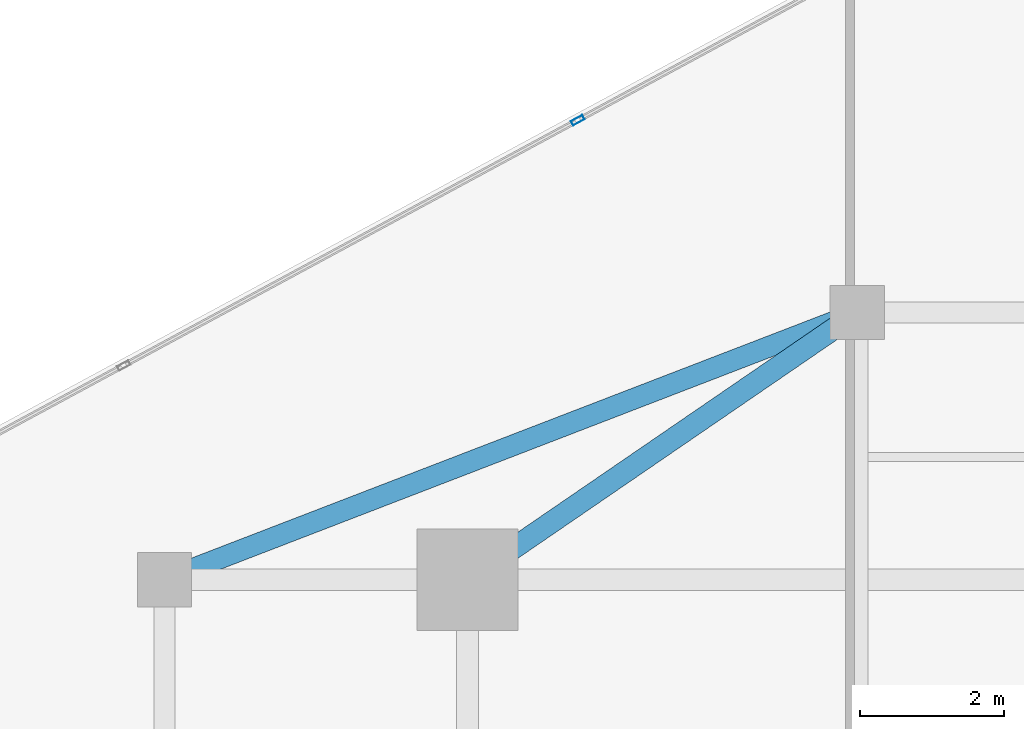
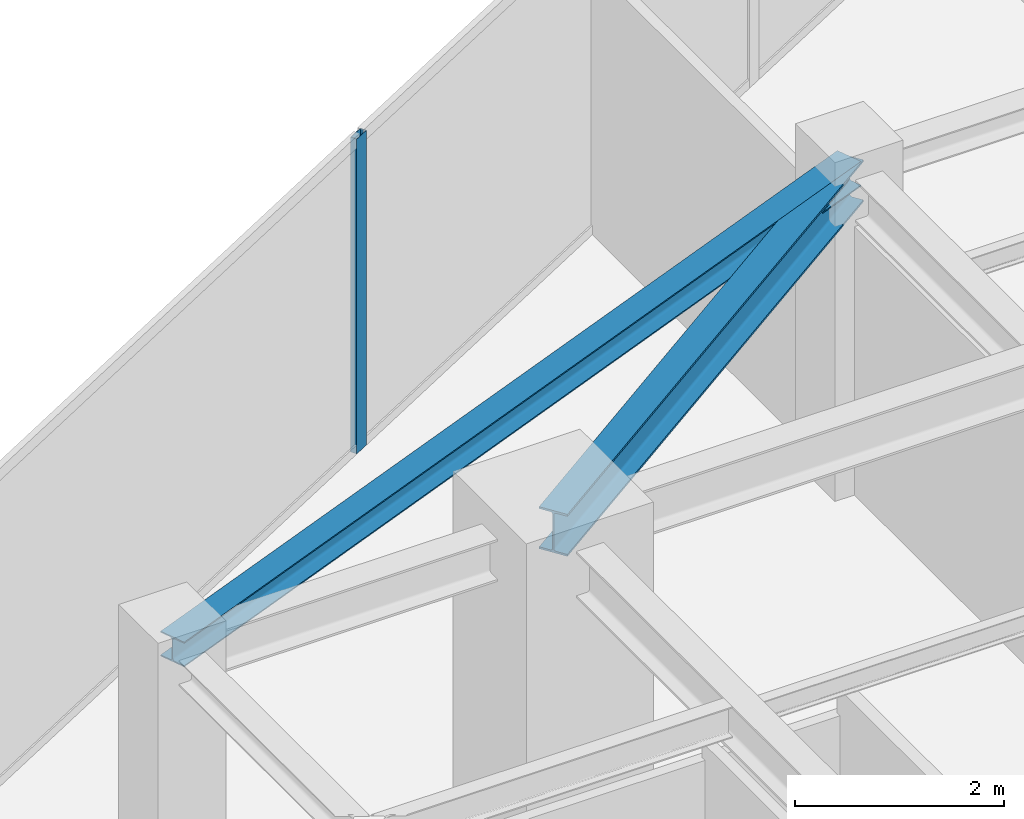
# One storey, part 14 of 22: 2 beams, 1 member, 1 element without a shape of its own.
"""IFC4 building model written with IfcOpenShell, lengths in metres."""

from ifc_helpers import new_model, si_unit, direction, frame, origin, origin_2d, place, context, subcontext, project, spatial, hollow_rectangle, i_section, extrude, source, transform, mapped, material, material_profile, profile_set, type_object, type_shapes, element, aggregate, save


model = new_model("IFC4")

# Units and contexts
model_context = context("Model", 3, precision=1e-05, world=origin(), true_north=direction((0.0, 1.0)))
body_context = subcontext(model_context, "Body", "Model", "MODEL_VIEW")
ifc_project = project(units=[si_unit("LENGTHUNIT", "METRE"), si_unit("AREAUNIT", "SQUARE_METRE"), si_unit("VOLUMEUNIT", "CUBIC_METRE"), si_unit("PLANEANGLEUNIT", "RADIAN"), si_unit("MASSUNIT", "GRAM", prefix="KILO")], contexts=[model_context])

# Site, building, storey
site_placement = place(None, origin())
site = spatial("IfcSite", under=ifc_project, at=site_placement, CompositionType="ELEMENT")
building_placement = place(site_placement, origin())
building = spatial("IfcBuilding", under=site, at=building_placement, Name="Krantzveldt Concourse Tower", CompositionType="ELEMENT")
storey_placement = place(building_placement, frame((0.0, 0.0, 302.949951171875)))
storey = spatial("IfcBuildingStorey", under=building, at=storey_placement, Name="L74", CompositionType="ELEMENT", Elevation=302.949951171875)

# Beams
ifc_material_1 = material(Name="Steel S355JR", Category="steel")
ifc_material_profile_1 = material_profile(ifc_material_1, i_section(OverallWidth=0.300048828125, OverallDepth=0.489990234375, WebThickness=0.011962890625, FlangeThickness=0.02294921875, FilletRadius=0.027099609375, at=origin_2d()), Name="Steel S355JR", Category="steel")
ifc_profile_set_1 = profile_set([ifc_material_profile_1], Name="Steel S355JR - HEA 500")
beam_type_1 = type_object("IfcBeamType", Name="BM-B-HEA500", PredefinedType="BEAM", material=ifc_profile_set_1)
shared_shape_1 = source(origin(), body_context, "Body", "SweptSolid", [
    extrude(i_section(OverallWidth=0.300048828125, OverallDepth=0.489990234375, WebThickness=0.011962890625, FlangeThickness=0.02294921875, FilletRadius=0.027099609375, at=origin_2d()), origin(), (0.0, 0.0, 1.0), 6.546142578125),
])
type_shapes(beam_type_1, [shared_shape_1])
beam_1_placement = place(storey_placement, frame((25.199951171875, 37.5, 3.425048828125), z_axis=(0.824942999484, 0.565215930068, 0.0), x_axis=(-0.565215930068, 0.824942999484, 0.0)))
element("IfcBeam", 1, at=beam_1_placement, inside=storey, type_object=beam_type_1, Name="L74 Tower Girder BR-RL4", PredefinedType="BEAM", context=body_context, shape_type="MappedRepresentation", body=[
    mapped(shared_shape_1, transform((0.0, 0.0, 0.0), x_axis=(1.0, 0.0, 0.0), y_axis=(0.0, 1.0, 0.0), z_axis=(0.0, 0.0, 1.0), scale=1.0)),
])
ifc_material_profile_2 = material_profile(ifc_material_1, i_section(OverallWidth=0.2900390625, OverallDepth=0.2900390625, WebThickness=0.008544921875, FlangeThickness=0.013916015625, FilletRadius=0.027099609375, at=origin_2d()), Name="Steel S355JR", Category="steel")
ifc_profile_set_2 = profile_set([ifc_material_profile_2], Name="Steel S355JR - HEA 300")
beam_type_2 = type_object("IfcBeamType", Name="BM-SP-HEA300", PredefinedType="SPANDREL", material=ifc_profile_set_2)
shared_shape_2 = source(origin(), body_context, "Body", "SweptSolid", [
    extrude(i_section(OverallWidth=0.2900390625, OverallDepth=0.2900390625, WebThickness=0.008544921875, FlangeThickness=0.013916015625, FilletRadius=0.027099609375, at=origin_2d()), origin(), (0.0, 0.0, 1.0), 10.288330078125),
])
type_shapes(beam_type_2, [shared_shape_2])
beam_2_placement = place(storey_placement, frame((21.0, 37.5, 3.525146484375), z_axis=(0.933097690408, 0.359622997257, 0.0), x_axis=(-0.359622997257, 0.933097690408, 0.0)))
element("IfcBeam", 2, at=beam_2_placement, inside=storey, type_object=beam_type_2, Name="L74 Tower Girder SP-R03", PredefinedType="SPANDREL", context=body_context, shape_type="MappedRepresentation", body=[
    mapped(shared_shape_2, transform((0.0, 0.0, 0.0), x_axis=(1.0, 0.0, 0.0), y_axis=(0.0, 1.0, 0.0), z_axis=(0.0, 0.0, 1.0), scale=1.0)),
])

# Curtain wall, member
ifc_material_2 = material(Name="Anodised aluminium 6063-T6", Category="aluminium")
curtain_wall_type = type_object("IfcCurtainWallType", Name="CW4", PredefinedType="USERDEFINED", material=ifc_material_2)
curtain_wall_placement = place(storey_placement, origin())
curtain_wall = element("IfcCurtainWall", 3, at=curtain_wall_placement, inside=storey, type_object=curtain_wall_type, Name="CW-L74-F01", ObjectType="UNITISED CURTAIN WALL", PredefinedType="USERDEFINED")
ifc_material_profile_3 = material_profile(ifc_material_2, hollow_rectangle(XDim=0.070068359375, YDim=0.179931640625, WallThickness=0.0048828125, at=origin_2d()), Name="Anodised aluminium 6063-T6", Category="aluminium")
ifc_profile_set_3 = profile_set([ifc_material_profile_3], Name="Anodised aluminium 6063-T6 - ALU-MULL 180x70x5")
member_type = type_object("IfcMemberType", Name="CW-MUL-180", PredefinedType="MULLION", material=ifc_profile_set_3)
shared_shape_3 = source(origin(), body_context, "Body", "SweptSolid", [
    extrude(hollow_rectangle(XDim=0.070068359375, YDim=0.179931640625, WallThickness=0.0048828125, at=origin_2d()), origin(), (0.0, 0.0, 1.0), 3.670166015625),
])
type_shapes(member_type, [shared_shape_3])
member_placement = place(storey_placement, frame((26.72802734375, 43.865966796875, 0.0), z_axis=(0.0, 0.0, 1.0), x_axis=(0.475240271736, -0.87985605875, 0.0)))
member = element("IfcMember", 4, at=member_placement, type_object=member_type, Name="CW-Z56 mullion 3", PredefinedType="MULLION", context=body_context, shape_type="MappedRepresentation", body=[
    mapped(shared_shape_3, transform((0.0, 0.0, 0.0), x_axis=(1.0, 0.0, 0.0), y_axis=(0.0, 1.0, 0.0), z_axis=(0.0, 0.0, 1.0), scale=1.0)),
])
aggregate(curtain_wall, [member])

save(model, "model.ifc")
